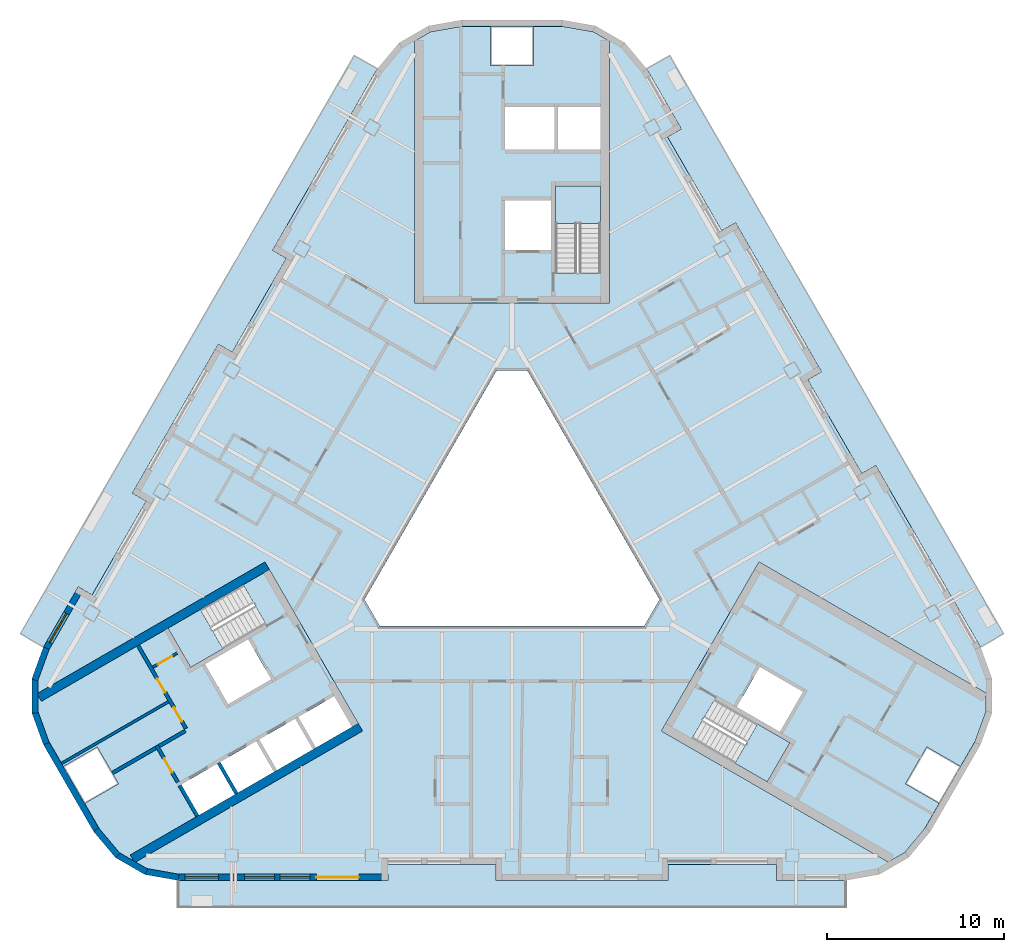
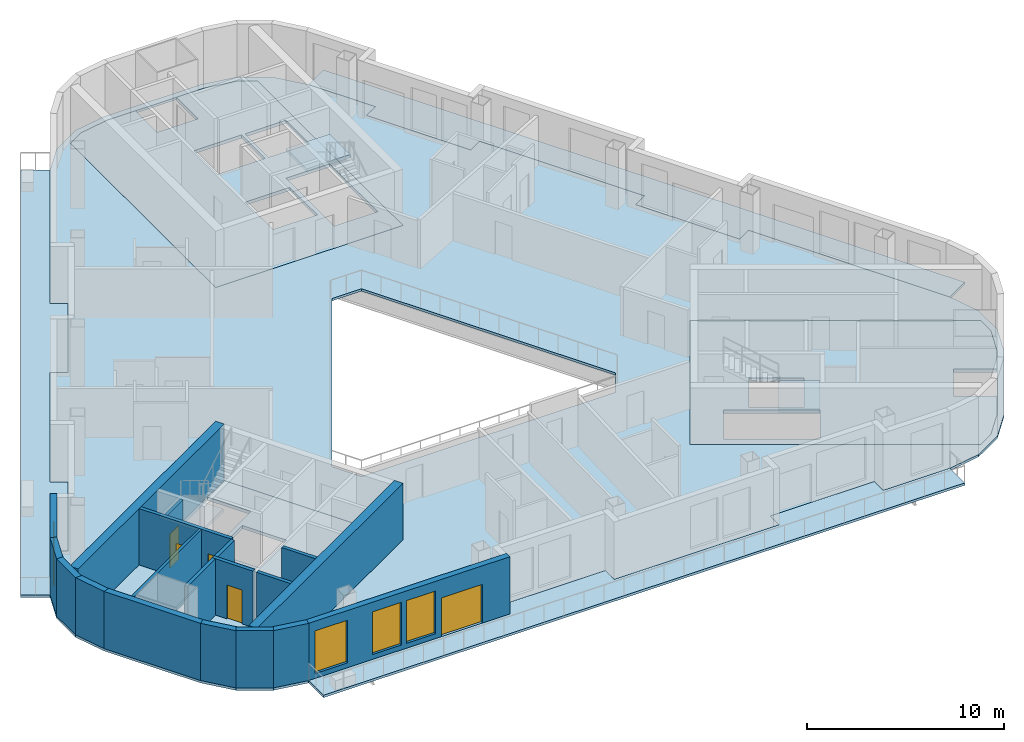
# One storey, part 2 of 14: 19 walls, 10 slabs, 5 doors, 4 windows, 9 openings, 3 elements without a shape of their own.
"""IFC4 building model written with IfcOpenShell, lengths in metres."""

import ifcopenshell
import ifcopenshell.guid

model = None  # the IFC model being written
_history = None  # IfcOwnerHistory: only IFC2X3 demands one
_inside = {}  # id of a spatial element -> (the spatial element, [elements in it])
_under = {}  # id of a project, library or spatial element -> (it, [spatial elements below it])
_declared = {}  # id of a project -> (the project, [libraries it declares])
_typed = {}  # id of a type object -> (the type object, [elements of that type])
_made_of = {}  # id of a material, layer set ... -> (it, [elements and type objects made of it])


def new_model(schema):
    """Start an empty IFC model of exactly this schema.

    Asked for "IFC4X3", IfcOpenShell would pick the latest addendum, in which some entities
    have other attributes; the version numbers below select the first issue.
    IFC2X3 requires an IfcOwnerHistory on every rooted entity: one is made here for all.
    """
    global model, _history
    if schema == "IFC4X3":
        model = ifcopenshell.file(schema_version=(4, 3, 0, 0))
    else:
        model = ifcopenshell.file(schema=schema)
    _inside.clear()
    _under.clear()
    _declared.clear()
    _typed.clear()
    _made_of.clear()
    _history = None
    if model.schema == "IFC2X3":
        org = make("IfcOrganization", Name="unknown")
        user = make(
            "IfcPersonAndOrganization",
            ThePerson=make("IfcPerson", FamilyName="unknown"),
            TheOrganization=org,
        )
        app = make(
            "IfcApplication",
            ApplicationDeveloper=org,
            Version="unknown",
            ApplicationFullName="unknown",
            ApplicationIdentifier="unknown",
        )
        _history = make(
            "IfcOwnerHistory",
            OwningUser=user,
            OwningApplication=app,
            ChangeAction="ADDED",
            CreationDate=0,
        )
    return model


def make(cls, **values):
    """One entity of the class cls with the attributes given. An attribute that is None is left unset."""
    return model.create_entity(
        cls, **{name: value for name, value in values.items() if value is not None}
    )


def rooted(cls, **values):
    """An entity with a GlobalId (a new one), such as an element, a storey or a relation."""
    return make(cls, GlobalId=ifcopenshell.guid.new(), OwnerHistory=_history, **values)


def si_unit(unit_type, name, prefix=None):
    """IfcSIUnit, for example si_unit("LENGTHUNIT", "METRE", prefix="MILLI")."""
    return make("IfcSIUnit", UnitType=unit_type, Prefix=prefix, Name=name)


def assignment(units):
    """IfcUnitAssignment: the units of a project."""
    return None if units is None else make("IfcUnitAssignment", Units=units)


def point(xyz):
    """IfcCartesianPoint."""
    return None if xyz is None else make("IfcCartesianPoint", Coordinates=xyz)


def direction(xyz):
    """IfcDirection."""
    return None if xyz is None else make("IfcDirection", DirectionRatios=xyz)


def frame(location, z_axis=None, x_axis=None):
    """IfcAxis2Placement3D, a coordinate frame: its origin and axes. An axis left out is left unset."""
    return make(
        "IfcAxis2Placement3D",
        Location=point(location),
        Axis=direction(z_axis),
        RefDirection=direction(x_axis),
    )


def frame_2d(location, x_axis=None):
    """IfcAxis2Placement2D, a coordinate frame in the plane: its origin and x axis."""
    return make(
        "IfcAxis2Placement2D", Location=point(location), RefDirection=direction(x_axis)
    )


def origin():
    """The frame at (0, 0, 0) with its axes left unset."""
    return frame((0.0, 0.0, 0.0))


def place(relative_to, where):
    """IfcLocalPlacement: puts the frame where relative to a parent placement (None: the world)."""
    return make(
        "IfcLocalPlacement", PlacementRelTo=relative_to, RelativePlacement=where
    )


def context(
    kind, dimensions, precision=None, world=None, true_north=None, identifier=None
):
    """IfcGeometricRepresentationContext, for example the 3D "Model" context."""
    return make(
        "IfcGeometricRepresentationContext",
        ContextIdentifier=identifier,
        ContextType=kind,
        CoordinateSpaceDimension=dimensions,
        Precision=precision,
        WorldCoordinateSystem=world,
        TrueNorth=true_north,
    )


def subcontext(parent, identifier, kind, view, scale=None):
    """IfcGeometricRepresentationSubContext, for example "Body" below "Model"."""
    return make(
        "IfcGeometricRepresentationSubContext",
        ContextIdentifier=identifier,
        ContextType=kind,
        ParentContext=parent,
        TargetScale=scale,
        TargetView=view,
    )


def project(units=None, contexts=None):
    """IfcProject with its units and contexts."""
    return rooted(
        "IfcProject",
        Name="project",
        RepresentationContexts=contexts,
        UnitsInContext=assignment(units),
    )


def spatial(cls, under=None, at=None, **own):
    """A site, building, storey or space (cls), placed at a placement, below another one or the project."""
    s = rooted(cls, ObjectPlacement=at, **own)
    if under is not None:
        _under.setdefault(under.id(), (under, []))[1].append(s)
    return s


def polyline(points):
    """IfcPolyline through the points."""
    return make("IfcPolyline", Points=[point(p) for p in points])


def profile(cls, at=None, kind="AREA", **sizes):
    """A parametric profile (cls). Its sizes go by their IFC names, for example OverallWidth=200.0."""
    return make(cls, ProfileType=kind, Position=at, **sizes)


def rectangle(**sizes):
    """IfcRectangleProfileDef."""
    return profile("IfcRectangleProfileDef", **sizes)


def outline(outer, holes=None, kind="AREA"):
    """IfcArbitraryClosedProfileDef: a profile drawn as a closed curve; with holes, ...WithVoids."""
    if holes is None:
        return make("IfcArbitraryClosedProfileDef", ProfileType=kind, OuterCurve=outer)
    return make(
        "IfcArbitraryProfileDefWithVoids",
        ProfileType=kind,
        OuterCurve=outer,
        InnerCurves=holes,
    )


def extrude(swept, where, along, depth):
    """IfcExtrudedAreaSolid: the profile swept, set in the frame where, extruded along a direction by depth."""
    return make(
        "IfcExtrudedAreaSolid",
        SweptArea=swept,
        Position=where,
        ExtrudedDirection=direction(along),
        Depth=depth,
    )


def shape(context_of_items, identifier, shape_type, items):
    """IfcShapeRepresentation: the items that make up one representation, for example the "Body"."""
    return make(
        "IfcShapeRepresentation",
        ContextOfItems=context_of_items,
        RepresentationIdentifier=identifier,
        RepresentationType=shape_type,
        Items=items,
    )


def material(Name=None, Category=None):
    """IfcMaterial."""
    return make("IfcMaterial", Name=Name, Category=Category)


def layer(
    of_material, thickness, ventilated=None, Name=None, Category=None, Priority=None
):
    """IfcMaterialLayer: one layer of a wall or slab, of a material (None: an air gap)."""
    return make(
        "IfcMaterialLayer",
        Material=of_material,
        LayerThickness=thickness,
        IsVentilated=ventilated,
        Name=Name,
        Category=Category,
        Priority=Priority,
    )


def layer_set(layers, Name=None):
    """IfcMaterialLayerSet."""
    return make("IfcMaterialLayerSet", MaterialLayers=layers, LayerSetName=Name)


def made_of(thing, what):
    """Note that an element or type object is made of a material, layer set ...; save() writes the relation."""
    if what is not None:
        _made_of.setdefault(what.id(), (what, []))[1].append(thing)
    return thing


def type_object(cls, material=None, **own):
    """A type object (cls), such as IfcWallType, which elements share."""
    return made_of(rooted(cls, **own), material)


def element(
    cls,
    number,
    at=None,
    inside=None,
    cuts=None,
    type_object=None,
    material=None,
    context=None,
    identifier="Body",
    shape_type=None,
    held_by="IfcProductDefinitionShape",
    body=None,
    shapes=None,
    **own,
):
    """One element of the class cls, such as IfcWall. Its Tag is "e" and its number.

    at: its placement. inside: the storey or other place that contains it. cuts: it is an
    opening in that element (IfcRelVoidsElement). A single representation is given by context,
    identifier, shape_type and body (its items); several are given by shapes. held_by: the class
    of the entity that holds the representations. save() writes the other relations.
    """
    e = rooted(cls, Tag="e%d" % number, ObjectPlacement=at, **own)
    if body is not None:
        shapes = [shape(context, identifier, shape_type, body)]
    if shapes is not None:
        e.Representation = make(held_by, Representations=shapes)
    if inside is not None:
        _inside.setdefault(inside.id(), (inside, []))[1].append(e)
    if cuts is not None:
        rooted(
            "IfcRelVoidsElement", RelatingBuildingElement=cuts, RelatedOpeningElement=e
        )
    if type_object is not None:
        _typed.setdefault(type_object.id(), (type_object, []))[1].append(e)
    return made_of(e, material)


def fill(opening, filler):
    """IfcRelFillsElement: the door or window that sits in an opening."""
    return rooted(
        "IfcRelFillsElement",
        RelatingOpeningElement=opening,
        RelatedBuildingElement=filler,
    )


def aggregate(whole, parts):
    """IfcRelAggregates: a whole, such as a stair, and the parts it consists of."""
    return rooted("IfcRelAggregates", RelatingObject=whole, RelatedObjects=parts)


def save(model, path):
    """Write the relations noted so far, then the file.

    IfcRelAggregates (storeys below a building ...), IfcRelContainedInSpatialStructure (elements
    in a storey), IfcRelDefinesByType, IfcRelAssociatesMaterial and IfcRelDeclares: one each for
    every whole, place, type object, material and project.
    """
    for whole, parts in _under.values():
        aggregate(whole, parts)
    for where, things in _inside.values():
        rooted(
            "IfcRelContainedInSpatialStructure",
            RelatedElements=things,
            RelatingStructure=where,
        )
    for kind, things in _typed.values():
        rooted("IfcRelDefinesByType", RelatedObjects=things, RelatingType=kind)
    for what, things in _made_of.values():
        rooted("IfcRelAssociatesMaterial", RelatedObjects=things, RelatingMaterial=what)
    for by, libraries in _declared.values():
        rooted("IfcRelDeclares", RelatingContext=by, RelatedDefinitions=libraries)
    model.write(path)


model = new_model("IFC4")

# Units and contexts
model_context = context("Model", 3, precision=1e-05, world=origin(), true_north=direction((0.0, 1.0)))
body_context = subcontext(model_context, "Body", "Model", "MODEL_VIEW")
ifc_project = project(units=[si_unit("LENGTHUNIT", "METRE"), si_unit("AREAUNIT", "SQUARE_METRE"), si_unit("VOLUMEUNIT", "CUBIC_METRE"), si_unit("PLANEANGLEUNIT", "RADIAN"), si_unit("MASSUNIT", "GRAM", prefix="KILO")], contexts=[model_context])

# Site, building, storey
site_placement = place(None, origin())
site = spatial("IfcSite", under=ifc_project, at=site_placement, CompositionType="ELEMENT")
building_placement = place(site_placement, origin())
building = spatial("IfcBuilding", under=site, at=building_placement, Name="Apuvela Tower Hotel", CompositionType="ELEMENT")
storey_placement = place(building_placement, frame((0.0, 0.0, 209.5)))
storey = spatial("IfcBuildingStorey", under=building, at=storey_placement, Name="L51", CompositionType="ELEMENT", Elevation=209.5)

# Slabs
ifc_material_1 = material(Name="Concrete C50/60", Category="concrete")
ifc_layer_1 = layer(ifc_material_1, 0.199951171875)
ifc_layer_set_1 = layer_set([ifc_layer_1], Name="COR-FLOOR-200")
slab_type_1 = type_object("IfcSlabType", Name="COR-FLOOR-200", PredefinedType="FLOOR", material=ifc_layer_set_1)
slab_1_placement = place(storey_placement, frame((0.0, 0.0, -0.199951171875)))
element("IfcSlab", 1, at=slab_1_placement, inside=storey, type_object=slab_type_1, Name="Core floor N", PredefinedType="FLOOR", context=body_context, shape_type="SweptSolid", body=[
    extrude(outline(polyline([(5.5, 27.668212890625), (4.588623046875, 28.1943359375), (2.85498046875, 28.5), (1.199951171875, 28.5), (1.199951171875, 26.300048828125), (-1.199951171875, 26.300048828125), (-1.199951171875, 28.5), (-2.85498046875, 28.5), (-4.588623046875, 28.1943359375), (-5.5, 27.668212890625), (-5.5, 12.89990234375), (5.5, 12.89990234375), (5.5, 27.668212890625)]), holes=[polyline([(5.0, 14.60595703125), (2.449951171875, 14.60595703125), (2.449951171875, 19.5), (5.0, 19.5), (5.0, 14.60595703125)]), polyline([(2.199951171875, 15.89990234375), (-0.39990234375, 15.89990234375), (-0.39990234375, 18.699951171875), (2.199951171875, 18.699951171875), (2.199951171875, 15.89990234375)]), polyline([(5.0, 21.550048828125), (2.60009765625, 21.550048828125), (2.60009765625, 23.949951171875), (5.0, 23.949951171875), (5.0, 21.550048828125)]), polyline([(2.39990234375, 21.550048828125), (-0.39990234375, 21.550048828125), (-0.39990234375, 23.949951171875), (2.39990234375, 23.949951171875), (2.39990234375, 21.550048828125)])]), origin(), (0.0, 0.0, 1.0), 0.199951171875),
])
slab_2_placement = place(storey_placement, frame((0.0, 0.0, -0.199951171875)))
element("IfcSlab", 2, at=slab_2_placement, inside=storey, type_object=slab_type_1, Name="Core floor SW", PredefinedType="FLOOR", context=body_context, shape_type="SweptSolid", body=[
    extrude(outline(polyline([(-26.711181640625, -9.07080078125), (-26.711181640625, -10.123291015625), (-26.109375, -11.77734375), (-25.28173828125, -13.210693359375), (-23.37646484375, -12.11083984375), (-22.176513671875, -14.189208984375), (-24.081787109375, -15.289306640625), (-23.254150390625, -16.72265625), (-22.122802734375, -18.071044921875), (-21.211181640625, -18.59716796875), (-8.421630859375, -11.213134765625), (-13.921630859375, -1.68701171875), (-26.711181640625, -9.07080078125)]), holes=[polyline([(-10.01806640625, -9.248046875), (-9.01806640625, -10.97998046875), (-11.044677734375, -12.150146484375), (-12.044677734375, -10.418212890625), (-10.01806640625, -9.248046875)]), polyline([(-14.244384765625, -11.68798828125), (-12.2177734375, -10.51806640625), (-11.2177734375, -12.25), (-13.244384765625, -13.420166015625), (-14.244384765625, -11.68798828125)]), polyline([(-19.387451171875, -5.419921875), (-15.149169921875, -2.972900390625), (-13.874267578125, -5.18115234375), (-18.112548828125, -7.628173828125), (-19.387451171875, -5.419921875)]), polyline([(-14.869873046875, -6.044677734375), (-13.56982421875, -8.29638671875), (-15.99462890625, -9.6962890625), (-17.294677734375, -7.444580078125), (-14.869873046875, -6.044677734375)]), polyline([(-16.444091796875, -12.9580078125), (-14.41748046875, -11.7880859375), (-13.41748046875, -13.52001953125), (-15.444091796875, -14.690185546875), (-16.444091796875, -12.9580078125)]), polyline([(-18.643798828125, -14.22802734375), (-16.6171875, -13.05810546875), (-15.6171875, -14.7900390625), (-17.643798828125, -15.960205078125), (-18.643798828125, -14.22802734375)])]), origin(), (0.0, 0.0, 1.0), 0.199951171875),
])
slab_3_placement = place(storey_placement, frame((0.0, 0.0, -0.199951171875)))
element("IfcSlab", 3, at=slab_3_placement, inside=storey, type_object=slab_type_1, Name="Core floor SE", PredefinedType="FLOOR", context=body_context, shape_type="SweptSolid", body=[
    extrude(outline(polyline([(21.211181640625, -18.59716796875), (22.122802734375, -18.071044921875), (23.254150390625, -16.72265625), (24.081787109375, -15.289306640625), (22.176513671875, -14.189208984375), (23.37646484375, -12.11083984375), (25.28173828125, -13.210693359375), (26.109375, -11.77734375), (26.711181640625, -10.123291015625), (26.711181640625, -9.07080078125), (13.921630859375, -1.68701171875), (8.421630859375, -11.213134765625), (21.211181640625, -18.59716796875)]), holes=[polyline([(11.42431640625, -9.4248046875), (15.66259765625, -11.871826171875), (14.387451171875, -14.080078125), (10.149169921875, -11.633056640625), (11.42431640625, -9.4248046875)]), polyline([(13.9697265625, -7.603515625), (16.394775390625, -9.003662109375), (15.0947265625, -11.25537109375), (12.669921875, -9.855224609375), (13.9697265625, -7.603515625)])]), origin(), (0.0, 0.0, 1.0), 0.199951171875),
])

# Stair, slab
stair_type = type_object("IfcStairType", Name="COR-STAIR-22R", PredefinedType="HALF_TURN_STAIR", material=ifc_material_1)
stair_1_placement = place(storey_placement, origin())
stair_1 = element("IfcStair", 4, at=stair_1_placement, inside=storey, type_object=stair_type, Name="L51 Exit stair ST1", PredefinedType="HALF_TURN_STAIR")
ifc_layer_2 = layer(ifc_material_1, 0.199951171875)
ifc_layer_set_2 = layer_set([ifc_layer_2], Name="COR-LANDING-200")
slab_type_2 = type_object("IfcSlabType", Name="COR-LANDING-200", PredefinedType="LANDING", material=ifc_layer_set_2)
slab_4_placement = place(storey_placement, frame((0.0, 0.0, 1.64990234375)))
slab_4 = element("IfcSlab", 5, at=slab_4_placement, type_object=slab_type_2, Name="ST1 landing 1", PredefinedType="LANDING", context=body_context, shape_type="SweptSolid", body=[
    extrude(outline(polyline([(5.0, 17.39404296875), (5.0, 19.5), (2.449951171875, 19.5), (2.449951171875, 17.39404296875), (5.0, 17.39404296875)])), origin(), (0.0, 0.0, 1.0), 0.2001953125),
])
aggregate(stair_1, [slab_4])

stair_2_placement = place(storey_placement, origin())
stair_2 = element("IfcStair", 6, at=stair_2_placement, inside=storey, type_object=stair_type, Name="L51 Exit stair ST2", PredefinedType="HALF_TURN_STAIR")
slab_5_placement = place(storey_placement, frame((0.0, 0.0, 1.64990234375)))
slab_5 = element("IfcSlab", 7, at=slab_5_placement, type_object=slab_type_2, Name="ST2 landing 1", PredefinedType="LANDING", context=body_context, shape_type="SweptSolid", body=[
    extrude(outline(polyline([(-17.563720703125, -4.366943359375), (-19.387451171875, -5.419921875), (-18.112548828125, -7.628173828125), (-16.28857421875, -6.5751953125), (-17.563720703125, -4.366943359375)])), origin(), (0.0, 0.0, 1.0), 0.2001953125),
])
aggregate(stair_2, [slab_5])

stair_3_placement = place(storey_placement, origin())
stair_3 = element("IfcStair", 8, at=stair_3_placement, inside=storey, type_object=stair_type, Name="L51 Exit stair ST3", PredefinedType="HALF_TURN_STAIR")
slab_6_placement = place(storey_placement, frame((0.0, 0.0, 1.64990234375)))
slab_6 = element("IfcSlab", 9, at=slab_6_placement, type_object=slab_type_2, Name="ST3 landing 1", PredefinedType="LANDING", context=body_context, shape_type="SweptSolid", body=[
    extrude(outline(polyline([(12.563720703125, -13.027099609375), (14.387451171875, -14.080078125), (15.66259765625, -11.871826171875), (13.838623046875, -10.81884765625), (12.563720703125, -13.027099609375)])), origin(), (0.0, 0.0, 1.0), 0.2001953125),
])
aggregate(stair_3, [slab_6])

# Slabs
ifc_material_2 = material(Name="Concrete C40/50, fair-faced", Category="concrete")
ifc_layer_3 = layer(ifc_material_2, 0.14990234375)
ifc_layer_set_3 = layer_set([ifc_layer_3], Name="ENV-BALCONY-150")
slab_type_3 = type_object("IfcSlabType", Name="ENV-BALCONY-150", PredefinedType="FLOOR", material=ifc_layer_set_3)
slab_7_placement = place(storey_placement, frame((0.0, 0.0, -0.14990234375)))
element("IfcSlab", 10, at=slab_7_placement, inside=storey, type_object=slab_type_3, Name="Balcony slab S L51", PredefinedType="FLOOR", context=body_context, shape_type="SweptSolid", body=[
    extrude(outline(polyline([(18.82080078125, -21.135009765625), (-18.82080078125, -21.135009765625), (-18.82080078125, -19.625), (-7.0048828125, -19.625), (-7.0048828125, -18.72509765625), (-0.89501953125, -18.72509765625), (-0.89501953125, -19.625), (8.794921875, -19.625), (8.794921875, -18.72509765625), (14.905029296875, -18.72509765625), (14.905029296875, -19.625), (18.82080078125, -19.625), (18.82080078125, -21.135009765625)])), origin(), (0.0, 0.0, 1.0), 0.14990234375),
])
slab_8_placement = place(storey_placement, frame((0.0, 0.0, -0.14990234375)))
element("IfcSlab", 11, at=slab_8_placement, inside=storey, type_object=slab_type_3, Name="Balcony slab NE L51", PredefinedType="FLOOR", context=body_context, shape_type="SweptSolid", body=[
    extrude(outline(polyline([(17.443359375, 9.037353515625), (12.598388671875, 17.42919921875), (11.81884765625, 16.979248046875), (8.763916015625, 22.2705078125), (9.543212890625, 22.720703125), (7.585205078125, 26.11181640625), (8.89306640625, 26.86669921875), (27.7138671875, -5.731689453125), (26.40625, -6.48681640625), (20.498291015625, 3.74609375), (19.71875, 3.2958984375), (16.663818359375, 8.58740234375), (17.443359375, 9.037353515625)])), origin(), (0.0, 0.0, 1.0), 0.14990234375),
])
slab_9_placement = place(storey_placement, frame((0.0, 0.0, -0.14990234375)))
element("IfcSlab", 12, at=slab_9_placement, inside=storey, type_object=slab_type_3, Name="Balcony slab NW L51", PredefinedType="FLOOR", context=body_context, shape_type="SweptSolid", body=[
    extrude(outline(polyline([(-27.7138671875, -5.731689453125), (-8.89306640625, 26.86669921875), (-7.585205078125, 26.11181640625), (-13.4931640625, 15.87890625), (-12.7138671875, 15.428955078125), (-15.768798828125, 10.1376953125), (-16.548095703125, 10.587646484375), (-21.393310546875, 2.19580078125), (-20.61376953125, 1.745849609375), (-23.668701171875, -3.545654296875), (-24.4482421875, -3.095703125), (-26.40625, -6.48681640625), (-27.7138671875, -5.731689453125)])), origin(), (0.0, 0.0, 1.0), 0.14990234375),
])
ifc_material_3 = material(Name="Concrete C35/45", Category="concrete")
ifc_layer_4 = layer(ifc_material_3, 0.14990234375)
ifc_layer_set_4 = layer_set([ifc_layer_4], Name="STR-SLAB 150 floor Concrete C35/45")
slab_type_4 = type_object("IfcSlabType", Name="STR-SLAB 150 floor Concrete C35/45", PredefinedType="FLOOR", material=ifc_layer_set_4)
slab_10_placement = place(storey_placement, frame((0.0, 0.0, -0.14990234375)))
element("IfcSlab", 13, at=slab_10_placement, inside=storey, type_object=slab_type_4, Name="Floor slab S4 L51", PredefinedType="FLOOR", context=body_context, shape_type="SweptSolid", body=[
    extrude(outline(polyline([(-6.3642578125, 27.5732421875), (-4.710205078125, 28.5283203125), (-2.8291015625, 28.860107421875), (2.8291015625, 28.860107421875), (4.710205078125, 28.5283203125), (6.3642578125, 27.5732421875), (7.59228515625, 26.110107421875), (9.550048828125, 22.71875), (8.770751953125, 22.268798828125), (11.82080078125, 16.986083984375), (12.60009765625, 17.43603515625), (17.4501953125, 9.035400390625), (16.670654296875, 8.58544921875), (19.720703125, 3.302734375), (20.5, 3.752685546875), (26.407958984375, -6.47998046875), (27.061279296875, -8.27490234375), (27.061279296875, -10.18505859375), (26.407958984375, -11.97998046875), (23.5791015625, -16.8798828125), (22.351318359375, -18.34326171875), (20.697021484375, -19.29833984375), (18.81591796875, -19.6298828125), (14.89990234375, -19.6298828125), (14.89990234375, -18.72998046875), (8.800048828125, -18.72998046875), (8.800048828125, -19.6298828125), (-0.89990234375, -19.6298828125), (-0.89990234375, -18.72998046875), (-7.0, -18.72998046875), (-7.0, -19.6298828125), (-18.81591796875, -19.6298828125), (-20.697021484375, -19.29833984375), (-22.351318359375, -18.34326171875), (-23.5791015625, -16.8798828125), (-26.407958984375, -11.97998046875), (-27.061279296875, -10.18505859375), (-27.061279296875, -8.27490234375), (-26.407958984375, -6.47998046875), (-24.4501953125, -3.088623046875), (-23.670654296875, -3.538818359375), (-20.62060546875, 1.743896484375), (-21.400146484375, 2.194091796875), (-16.550048828125, 10.594482421875), (-15.7705078125, 10.14453125), (-12.720703125, 15.42724609375), (-13.5, 15.877197265625), (-7.59228515625, 26.110107421875), (-6.3642578125, 27.5732421875)]), holes=[polyline([(0.865966796875, 9.10009765625), (-0.865966796875, 9.10009765625), (-8.313720703125, -3.800048828125), (-7.44775390625, -5.300048828125), (7.44775390625, -5.300048828125), (8.313720703125, -3.800048828125), (0.865966796875, 9.10009765625)]), polyline([(-5.5, 12.89990234375), (-5.5, 27.668212890625), (-4.588623046875, 28.1943359375), (-2.85498046875, 28.5), (2.85498046875, 28.5), (4.588623046875, 28.1943359375), (5.5, 27.668212890625), (5.5, 12.89990234375), (-5.5, 12.89990234375)]), polyline([(-8.421630859375, -11.213134765625), (-21.211181640625, -18.59716796875), (-22.122802734375, -18.071044921875), (-23.254150390625, -16.72265625), (-26.109375, -11.77734375), (-26.711181640625, -10.123291015625), (-26.711181640625, -9.07080078125), (-13.921630859375, -1.68701171875), (-8.421630859375, -11.213134765625)]), polyline([(13.921630859375, -1.68701171875), (26.711181640625, -9.07080078125), (26.711181640625, -10.123291015625), (26.109375, -11.77734375), (23.254150390625, -16.72265625), (22.122802734375, -18.071044921875), (21.211181640625, -18.59716796875), (8.421630859375, -11.213134765625), (13.921630859375, -1.68701171875)])]), origin(), (0.0, 0.0, 1.0), 0.14990234375),
])

# Walls
ifc_layer_5 = layer(ifc_material_1, 0.5)
ifc_layer_set_5 = layer_set([ifc_layer_5], Name="COR-WALL-CORE-500")
wall_type_1 = type_object("IfcWallType", Name="COR-WALL-CORE-500", PredefinedType="SHEAR", material=ifc_layer_set_5)
for number, where, z_axis, x_axis, name in (
    (14, (-13.796630859375, -1.9033203125, 0.0), (0.0, 0.0, 1.0), (-0.866025009528, -0.500000682871, 0.0), "Core wall SW"),
    (15, (-8.546630859375, -10.99658203125, 0.0), (0.0, 0.0, 1.0), (-0.866025009528, -0.500000682871, 0.0), "Core wall SW"),
):
    element("IfcWall", number, at=place(storey_placement, frame(where, z_axis=z_axis, x_axis=x_axis)), inside=storey, type_object=wall_type_1, Name=name, PredefinedType="SHEAR", context=body_context, shape_type="SweptSolid", body=[
        extrude(rectangle(XDim=14.8369140625, YDim=0.5, at=frame_2d((7.41845703125, 0.0))), origin(), (0.0, 0.0, 1.0), 3.5),
    ])

# Wall, opening, door
ifc_material_4 = material(Name="Blockwork 150 mm plastered", Category="masonry")
ifc_layer_6 = layer(ifc_material_4, 0.14990234375)
ifc_layer_set_6 = layer_set([ifc_layer_6], Name="COR-WALL-PART-150")
wall_type_2 = type_object("IfcWallType", Name="COR-WALL-PART-150", PredefinedType="PARTITIONING", material=ifc_layer_set_6)
wall_1_placement = place(storey_placement, frame((-18.866455078125, -6.822265625, 0.0), z_axis=(0.0, 0.0, 1.0), x_axis=(-0.866028054938, -0.499995408039, 0.0)))
wall_1 = element("IfcWall", 16, at=wall_1_placement, inside=storey, type_object=wall_type_2, Name="Partition SW", PredefinedType="PARTITIONING", context=body_context, shape_type="SweptSolid", body=[
    extrude(rectangle(XDim=1.60009765625, YDim=0.14990234375, at=frame_2d((0.800048828125, 0.0))), origin(), (0.0, 0.0, 1.0), 3.5),
])
opening_1_placement = place(wall_1_placement, frame((0.35009765625, 0.0, 0.0)))
opening_1 = element("IfcOpeningElement", 17, at=opening_1_placement, cuts=wall_1, Name="Opening W-RD", PredefinedType="OPENING", context=body_context, shape_type="SweptSolid", body=[
    extrude(rectangle(XDim=0.89990234375, YDim=2.10009765625, at=frame_2d((0.449951171875, 1.050048828125))), frame((0.0, 0.0849609375, 0.0), z_axis=(0.0, -1.0, 0.0), x_axis=(1.0, 0.0, 0.0)), (0.0, 0.0, 1.0), 0.169921875),
])
ifc_material_5 = material(Name="Steel access door, powder coated", Category="steel")
door_type_1 = type_object("IfcDoorType", Name="COR-RD-900", OperationType="NOTDEFINED", PredefinedType="DOOR", material=ifc_material_5)
door_1_placement = place(opening_1_placement, frame((0.89990234375, 0.0, 0.0), z_axis=(0.0, 0.0, 1.0), x_axis=(-1.0, 0.0, 0.0)))
door_1 = element("IfcDoor", 18, at=door_1_placement, inside=storey, type_object=door_type_1, Name="Riser door W-RD", OperationType="SINGLE_SWING_RIGHT", OverallHeight=2.10009765625, OverallWidth=0.89990234375, PredefinedType="DOOR", context=body_context, shape_type="SweptSolid", body=[
    extrude(rectangle(XDim=0.89990234375, YDim=2.10009765625, at=frame_2d((0.449951171875, 1.050048828125))), frame((0.0, 0.02490234375, 0.0), z_axis=(0.0, -1.0, 0.0), x_axis=(1.0, 0.0, 0.0)), (0.0, 0.0, 1.0), 0.050048828125),
])
fill(opening_1, door_1)

# Wall
wall_2_placement = place(storey_placement, frame((-19.36279296875, -9.5625, 0.0), z_axis=(0.0, 0.0, 1.0), x_axis=(-0.866016523273, -0.500015381182, 0.0)))
element("IfcWall", 19, at=wall_2_placement, inside=storey, type_object=wall_type_2, Name="Partition SW", PredefinedType="PARTITIONING", context=body_context, shape_type="SweptSolid", body=[
    extrude(rectangle(XDim=6.949951171875, YDim=0.14990234375, at=frame_2d((3.47509765625, 0.0))), origin(), (0.0, 0.0, 1.0), 3.5),
])

# Wall, openings, doors
ifc_material_6 = material(Name="Blockwork 200 mm plastered", Category="masonry")
ifc_layer_7 = layer(ifc_material_6, 0.199951171875)
ifc_layer_set_7 = layer_set([ifc_layer_7], Name="COR-WALL-PART-200")
wall_type_3 = type_object("IfcWallType", Name="COR-WALL-PART-200", PredefinedType="PARTITIONING", material=ifc_layer_set_7)
wall_3_placement = place(storey_placement, frame((-21.076171875, -6.39501953125, 0.0), z_axis=(0.0, 0.0, 1.0), x_axis=(0.50001468107, -0.866016927499, 0.0)))
wall_3 = element("IfcWall", 20, at=wall_3_placement, inside=storey, type_object=wall_type_3, Name="Partition SW", PredefinedType="PARTITIONING", context=body_context, shape_type="SweptSolid", body=[
    extrude(rectangle(XDim=5.399658203125, YDim=0.199951171875, at=frame_2d((2.69970703125, 0.0))), origin(), (0.0, 0.0, 1.0), 3.5),
])
opening_2_placement = place(wall_3_placement, frame((2.16259765625, 0.0, 0.0)))
opening_2 = element("IfcOpeningElement", 21, at=opening_2_placement, cuts=wall_3, Name="Opening W-RS1", PredefinedType="OPENING", context=body_context, shape_type="SweptSolid", body=[
    extrude(rectangle(XDim=0.89990234375, YDim=2.10009765625, at=frame_2d((0.449951171875, 1.050048828125))), frame((0.0, 0.10986328125, 0.0), z_axis=(0.0, -1.0, 0.0), x_axis=(1.0, 0.0, 0.0)), (0.0, 0.0, 1.0), 0.219970703125),
])
opening_3_placement = place(wall_3_placement, frame((4.03759765625, 0.0, 0.0)))
opening_3 = element("IfcOpeningElement", 22, at=opening_3_placement, cuts=wall_3, Name="Opening W-RS2", PredefinedType="OPENING", context=body_context, shape_type="SweptSolid", body=[
    extrude(rectangle(XDim=0.89990234375, YDim=2.10009765625, at=frame_2d((0.449951171875, 1.050048828125))), frame((0.0, 0.10986328125, 0.0), z_axis=(0.0, -1.0, 0.0), x_axis=(1.0, 0.0, 0.0)), (0.0, 0.0, 1.0), 0.219970703125),
])
ifc_material_7 = material(Name="Steel fire door, powder coated", Category="steel")
door_type_2 = type_object("IfcDoorType", Name="COR-DR-900", OperationType="NOTDEFINED", PredefinedType="DOOR", material=ifc_material_7)
door_2_placement = place(opening_2_placement, frame((0.89990234375, 0.0, 0.0), z_axis=(0.0, 0.0, 1.0), x_axis=(-1.0, 0.0, 0.0)))
door_2 = element("IfcDoor", 23, at=door_2_placement, inside=storey, type_object=door_type_2, Name="Store door W-RS1", OperationType="SINGLE_SWING_LEFT", OverallHeight=2.10009765625, OverallWidth=0.89990234375, PredefinedType="DOOR", context=body_context, shape_type="SweptSolid", body=[
    extrude(rectangle(XDim=0.89990234375, YDim=2.10009765625, at=frame_2d((0.449951171875, 1.050048828125))), frame((0.0, 0.02490234375, 0.0), z_axis=(0.0, -1.0, 0.0), x_axis=(1.0, 0.0, 0.0)), (0.0, 0.0, 1.0), 0.050048828125),
])
fill(opening_2, door_2)
door_3_placement = place(opening_3_placement, frame((0.89990234375, 0.0, 0.0), z_axis=(0.0, 0.0, 1.0), x_axis=(-1.0, 0.0, 0.0)))
door_3 = element("IfcDoor", 24, at=door_3_placement, inside=storey, type_object=door_type_2, Name="Store door W-RS2", OperationType="SINGLE_SWING_LEFT", OverallHeight=2.10009765625, OverallWidth=0.89990234375, PredefinedType="DOOR", context=body_context, shape_type="SweptSolid", body=[
    extrude(rectangle(XDim=0.89990234375, YDim=2.10009765625, at=frame_2d((0.449951171875, 1.050048828125))), frame((0.0, 0.02490234375, 0.0), z_axis=(0.0, -1.0, 0.0), x_axis=(1.0, 0.0, 0.0)), (0.0, 0.0, 1.0), 0.050048828125),
])
fill(opening_3, door_3)

# Wall, opening, door
ifc_layer_8 = layer(ifc_material_1, 0.199951171875)
ifc_layer_set_8 = layer_set([ifc_layer_8], Name="COR-WALL-SHAFT-200")
wall_type_4 = type_object("IfcWallType", Name="COR-WALL-SHAFT-200", PredefinedType="SHEAR", material=ifc_layer_set_8)
wall_4_placement = place(storey_placement, frame((-20.030517578125, -12.0263671875, 0.0), z_axis=(0.0, 0.0, 1.0), x_axis=(0.500033551112, -0.866006032174, 0.0)))
wall_4 = element("IfcWall", 25, at=wall_4_placement, inside=storey, type_object=wall_type_4, Name="Shaft wall SW", PredefinedType="SHEAR", context=body_context, shape_type="SweptSolid", body=[
    extrude(rectangle(XDim=2.400146484375, YDim=0.199951171875, at=frame_2d((1.2001953125, 0.0))), origin(), (0.0, 0.0, 1.0), 3.5),
])
opening_4_placement = place(wall_4_placement, frame((0.85009765625, 0.0, 0.0)))
opening_4 = element("IfcOpeningElement", 26, at=opening_4_placement, cuts=wall_4, Name="Opening W-REP", PredefinedType="OPENING", context=body_context, shape_type="SweptSolid", body=[
    extrude(rectangle(XDim=0.89990234375, YDim=2.10009765625, at=frame_2d((0.449951171875, 1.050048828125))), frame((0.0, 0.10986328125, 0.0), z_axis=(0.0, -1.0, 0.0), x_axis=(1.0, 0.0, 0.0)), (0.0, 0.0, 1.0), 0.219970703125),
])
door_4_placement = place(opening_4_placement, frame((0.89990234375, 0.0, 0.0), z_axis=(0.0, 0.0, 1.0), x_axis=(-1.0, 0.0, 0.0)))
door_4 = element("IfcDoor", 27, at=door_4_placement, inside=storey, type_object=door_type_2, Name="Store door W-REP", OperationType="SINGLE_SWING_LEFT", OverallHeight=2.10009765625, OverallWidth=0.89990234375, PredefinedType="DOOR", context=body_context, shape_type="SweptSolid", body=[
    extrude(rectangle(XDim=0.89990234375, YDim=2.10009765625, at=frame_2d((0.449951171875, 1.050048828125))), frame((0.0, 0.02490234375, 0.0), z_axis=(0.0, -1.0, 0.0), x_axis=(1.0, 0.0, 0.0)), (0.0, 0.0, 1.0), 0.050048828125),
])
fill(opening_4, door_4)

# Walls
wall_5_placement = place(storey_placement, frame((-18.412841796875, -11.2080078125, 0.0), z_axis=(0.0, 0.0, 1.0), x_axis=(-0.866038183914, -0.499977863513, 0.0)))
element("IfcWall", 28, at=wall_5_placement, inside=storey, type_object=wall_type_4, Name="Shaft wall SW", PredefinedType="SHEAR", context=body_context, shape_type="SweptSolid", body=[
    extrude(rectangle(XDim=1.7099609375, YDim=0.199951171875, at=frame_2d((0.85498046875, 0.0))), origin(), (0.0, 0.0, 1.0), 3.5),
])
for number, where, z_axis, x_axis, name in (
    (29, (-16.530517578125, -13.008056640625, 0.0), (0.0, 0.0, 1.0), (0.50002537861, -0.866010750942, 0.0), "Shaft wall SW"),
    (30, (-18.73046875, -14.278076171875, 0.0), (0.0, 0.0, 1.0), (0.50002537861, -0.866010750942, 0.0), "Shaft wall SW"),
):
    element("IfcWall", number, at=place(storey_placement, frame(where, z_axis=z_axis, x_axis=x_axis)), inside=storey, type_object=wall_type_4, Name=name, PredefinedType="SHEAR", context=body_context, shape_type="SweptSolid", body=[
        extrude(rectangle(XDim=2.0, YDim=0.199951171875, at=frame_2d((1.0, 0.0))), origin(), (0.0, 0.0, 1.0), 3.5),
    ])
wall_6_placement = place(storey_placement, frame((-20.06689453125, -12.1630859375, 0.0), z_axis=(0.0, 0.0, 1.0), x_axis=(-0.866055327414, -0.49994816717, 0.0)))
element("IfcWall", 31, at=wall_6_placement, inside=storey, type_object=wall_type_4, Name="Shaft wall SW", PredefinedType="SHEAR", context=body_context, shape_type="SweptSolid", body=[
    extrude(rectangle(XDim=2.840087890625, YDim=0.199951171875, at=frame_2d((1.419921875, 0.0))), origin(), (0.0, 0.0, 1.0), 3.5),
])

# Wall, opening, window
ifc_material_8 = material(Name="Concrete C40/50, dark pigmented precast panel", Category="concrete")
ifc_layer_9 = layer(ifc_material_8, 0.35009765625)
ifc_layer_set_9 = layer_set([ifc_layer_9], Name="ENV-WALL-350")
wall_type_5 = type_object("IfcWallType", Name="ENV-WALL-350", PredefinedType="SOLIDWALL", material=ifc_layer_set_9)
wall_7_placement = place(storey_placement, frame((-24.298583984375, -3.17626953125, 0.0), z_axis=(0.0, 0.0, 1.0), x_axis=(-0.500028278809, -0.866009076391, 0.0)))
wall_7 = element("IfcWall", 32, at=wall_7_placement, inside=storey, type_object=wall_type_5, Name="External wall L51-09", PredefinedType="SOLIDWALL", context=body_context, shape_type="SweptSolid", body=[
    extrude(rectangle(XDim=3.915771484375, YDim=0.35009765625, at=frame_2d((1.9580078125, 0.0))), origin(), (0.0, 0.0, 1.0), 3.550048828125),
])
opening_5_placement = place(wall_7_placement, frame((1.625, 0.0, 0.300048828125)))
opening_5 = element("IfcOpeningElement", 33, at=opening_5_placement, cuts=wall_7, Name="Opening WN19", PredefinedType="OPENING", context=body_context, shape_type="SweptSolid", body=[
    extrude(rectangle(XDim=1.89990234375, YDim=2.64990234375, at=frame_2d((0.949951171875, 1.324951171875))), frame((0.0, 0.18505859375, 0.0), z_axis=(0.0, -1.0, 0.0), x_axis=(1.0, 0.0, 0.0)), (0.0, 0.0, 1.0), 0.3701171875),
])
ifc_material_9 = material(Name="Glass, dark tinted laminated insulated glazing unit", Category="glass")
window_type_1 = type_object("IfcWindowType", Name="ENV-WIN-1900x2650", PartitioningType="SINGLE_PANEL", PredefinedType="WINDOW", material=ifc_material_9)
window_1_placement = place(opening_5_placement, origin())
window_1 = element("IfcWindow", 34, at=window_1_placement, inside=storey, type_object=window_type_1, Name="Window WN19", OverallHeight=2.64990234375, OverallWidth=1.89990234375, PartitioningType="SINGLE_PANEL", PredefinedType="WINDOW", context=body_context, shape_type="SweptSolid", body=[
    extrude(rectangle(XDim=1.89990234375, YDim=2.64990234375, at=frame_2d((0.949951171875, 1.324951171875))), frame((0.0, 0.030029296875, 0.0), z_axis=(0.0, -1.0, 0.0), x_axis=(1.0, 0.0, 0.0)), (0.0, 0.0, 1.0), 0.06005859375),
])
fill(opening_5, window_1)

# Walls
for number, where, z_axis, x_axis, name in (
    (35, (-26.24365234375, -6.539794921875, 0.0), (0.0, 0.0, 1.0), (-0.342030395486, -0.939688889242, 0.0), "External wall L51-10"),
    (36, (-26.88623046875, -8.27490234375, 0.0), (0.0, 0.0, 1.0), (0.0, -1.0, 0.0), "External wall L51-11"),
    (37, (-26.89697265625, -10.125244140625, 0.0), (0.0, 0.0, 1.0), (0.342030395486, -0.939688889242, 0.0), "External wall L51-12"),
):
    element("IfcWall", number, at=place(storey_placement, frame(where, z_axis=z_axis, x_axis=x_axis)), inside=storey, type_object=wall_type_5, Name=name, PredefinedType="SOLIDWALL", context=body_context, shape_type="SweptSolid", body=[
        extrude(rectangle(XDim=1.91015625, YDim=0.35009765625, at=frame_2d((0.955078125, 0.0))), origin(), (0.0, 0.0, 1.0), 3.550048828125),
    ])
wall_8_placement = place(storey_placement, frame((-26.256591796875, -11.892578125, 0.0), z_axis=(0.0, 0.0, 1.0), x_axis=(0.500018773155, -0.866014564827, 0.0)))
element("IfcWall", 38, at=wall_8_placement, inside=storey, type_object=wall_type_5, Name="External wall L51-13", PredefinedType="SOLIDWALL", context=body_context, shape_type="SweptSolid", body=[
    extrude(rectangle(XDim=5.657958984375, YDim=0.35009765625, at=frame_2d((2.8291015625, 0.0))), origin(), (0.0, 0.0, 1.0), 3.550048828125),
])
for number, where, z_axis, x_axis, name in (
    (39, (-23.44482421875, -16.767578125, 0.0), (0.0, 0.0, 1.0), (0.642733291068, -0.76609001857, 0.0), "External wall L51-14"),
    (40, (-22.263671875, -18.191650390625, 0.0), (0.0, 0.0, 1.0), (0.866000389056, -0.500043324278, 0.0), "External wall L51-15"),
):
    element("IfcWall", number, at=place(storey_placement, frame(where, z_axis=z_axis, x_axis=x_axis)), inside=storey, type_object=wall_type_5, Name=name, PredefinedType="SOLIDWALL", context=body_context, shape_type="SweptSolid", body=[
        extrude(rectangle(XDim=1.909912109375, YDim=0.35009765625, at=frame_2d((0.955078125, 0.0))), origin(), (0.0, 0.0, 1.0), 3.550048828125),
    ])
wall_9_placement = place(storey_placement, frame((-20.66650390625, -19.1259765625, 0.0), z_axis=(0.0, 0.0, 1.0), x_axis=(0.984798995425, -0.173697837091, 0.0)))
element("IfcWall", 41, at=wall_9_placement, inside=storey, type_object=wall_type_5, Name="External wall L51-16", PredefinedType="SOLIDWALL", context=body_context, shape_type="SweptSolid", body=[
    extrude(rectangle(XDim=1.91015625, YDim=0.35009765625, at=frame_2d((0.955078125, 0.0))), origin(), (0.0, 0.0, 1.0), 3.550048828125),
])

# Wall, openings, door, windows
wall_10_placement = place(storey_placement, frame((-18.81591796875, -19.455078125, 0.0), z_axis=(0.0, 0.0, 1.0), x_axis=(1.0, 0.0, 0.0)))
wall_10 = element("IfcWall", 42, at=wall_10_placement, inside=storey, type_object=wall_type_5, Name="External wall L51-17", PredefinedType="SOLIDWALL", context=body_context, shape_type="SweptSolid", body=[
    extrude(rectangle(XDim=11.81591796875, YDim=0.35009765625, at=frame_2d((5.907958984375, 0.0))), origin(), (0.0, 0.0, 1.0), 3.550048828125),
])
opening_6_placement = place(wall_10_placement, frame((0.380615234375, 0.0, 0.300048828125)))
opening_6 = element("IfcOpeningElement", 43, at=opening_6_placement, cuts=wall_10, Name="Opening WN19", PredefinedType="OPENING", context=body_context, shape_type="SweptSolid", body=[
    extrude(rectangle(XDim=1.89990234375, YDim=2.64990234375, at=frame_2d((0.949951171875, 1.324951171875))), frame((0.0, 0.18505859375, 0.0), z_axis=(0.0, -1.0, 0.0), x_axis=(1.0, 0.0, 0.0)), (0.0, 0.0, 1.0), 0.3701171875),
])
opening_7_placement = place(wall_10_placement, frame((7.790283203125, 0.0, 0.0)))
opening_7 = element("IfcOpeningElement", 44, at=opening_7_placement, cuts=wall_10, Name="Opening BD24", PredefinedType="OPENING", context=body_context, shape_type="SweptSolid", body=[
    extrude(rectangle(XDim=2.39990234375, YDim=2.39990234375, at=frame_2d((1.199951171875, 1.199951171875))), frame((0.0, 0.18505859375, 0.0), z_axis=(0.0, -1.0, 0.0), x_axis=(1.0, 0.0, 0.0)), (0.0, 0.0, 1.0), 0.3701171875),
])
opening_8_placement = place(wall_10_placement, frame((3.740966796875, 0.0, 0.300048828125)))
opening_8 = element("IfcOpeningElement", 45, at=opening_8_placement, cuts=wall_10, Name="Opening WN17", PredefinedType="OPENING", context=body_context, shape_type="SweptSolid", body=[
    extrude(rectangle(XDim=1.699951171875, YDim=2.64990234375, at=frame_2d((0.85009765625, 1.324951171875))), frame((0.0, 0.18505859375, 0.0), z_axis=(0.0, -1.0, 0.0), x_axis=(1.0, 0.0, 0.0)), (0.0, 0.0, 1.0), 0.3701171875),
])
opening_9_placement = place(wall_10_placement, frame((5.740966796875, 0.0, 0.300048828125)))
opening_9 = element("IfcOpeningElement", 46, at=opening_9_placement, cuts=wall_10, Name="Opening WN17", PredefinedType="OPENING", context=body_context, shape_type="SweptSolid", body=[
    extrude(rectangle(XDim=1.699951171875, YDim=2.64990234375, at=frame_2d((0.85009765625, 1.324951171875))), frame((0.0, 0.18505859375, 0.0), z_axis=(0.0, -1.0, 0.0), x_axis=(1.0, 0.0, 0.0)), (0.0, 0.0, 1.0), 0.3701171875),
])
ifc_material_10 = material(Name="Aluminium 6063-T6, dark bronze anodised frame with dark tinted laminated glass", Category="aluminium")
door_type_3 = type_object("IfcDoorType", Name="ENV-DOOR-BALCONY-2400x2400", OperationType="SLIDING_TO_LEFT", PredefinedType="DOOR", material=ifc_material_10)
door_5_placement = place(opening_7_placement, frame((2.39990234375, 0.0, 0.0), z_axis=(0.0, 0.0, 1.0), x_axis=(-1.0, 0.0, 0.0)))
door_5 = element("IfcDoor", 47, at=door_5_placement, inside=storey, type_object=door_type_3, Name="Balcony door BD24", OperationType="SLIDING_TO_LEFT", OverallHeight=2.39990234375, OverallWidth=2.39990234375, PredefinedType="DOOR", context=body_context, shape_type="SweptSolid", body=[
    extrude(rectangle(XDim=2.39990234375, YDim=2.39990234375, at=frame_2d((1.199951171875, 1.199951171875))), frame((0.0, 0.02490234375, 0.0), z_axis=(0.0, -1.0, 0.0), x_axis=(1.0, 0.0, 0.0)), (0.0, 0.0, 1.0), 0.050048828125),
])
fill(opening_7, door_5)
window_type_2 = type_object("IfcWindowType", Name="ENV-WIN-1700x2650", PartitioningType="SINGLE_PANEL", PredefinedType="WINDOW", material=ifc_material_9)
window_2_placement = place(opening_8_placement, origin())
window_2 = element("IfcWindow", 48, at=window_2_placement, inside=storey, type_object=window_type_2, Name="Window WN17", OverallHeight=2.64990234375, OverallWidth=1.699951171875, PartitioningType="SINGLE_PANEL", PredefinedType="WINDOW", context=body_context, shape_type="SweptSolid", body=[
    extrude(rectangle(XDim=1.699951171875, YDim=2.64990234375, at=frame_2d((0.85009765625, 1.324951171875))), frame((0.0, 0.030029296875, 0.0), z_axis=(0.0, -1.0, 0.0), x_axis=(1.0, 0.0, 0.0)), (0.0, 0.0, 1.0), 0.06005859375),
])
fill(opening_8, window_2)
window_3_placement = place(opening_9_placement, origin())
window_3 = element("IfcWindow", 49, at=window_3_placement, inside=storey, type_object=window_type_2, Name="Window WN17", OverallHeight=2.64990234375, OverallWidth=1.699951171875, PartitioningType="SINGLE_PANEL", PredefinedType="WINDOW", context=body_context, shape_type="SweptSolid", body=[
    extrude(rectangle(XDim=1.699951171875, YDim=2.64990234375, at=frame_2d((0.85009765625, 1.324951171875))), frame((0.0, 0.030029296875, 0.0), z_axis=(0.0, -1.0, 0.0), x_axis=(1.0, 0.0, 0.0)), (0.0, 0.0, 1.0), 0.06005859375),
])
fill(opening_9, window_3)
window_4_placement = place(opening_6_placement, origin())
window_4 = element("IfcWindow", 50, at=window_4_placement, inside=storey, type_object=window_type_1, Name="Window WN19", OverallHeight=2.64990234375, OverallWidth=1.89990234375, PartitioningType="SINGLE_PANEL", PredefinedType="WINDOW", context=body_context, shape_type="SweptSolid", body=[
    extrude(rectangle(XDim=1.89990234375, YDim=2.64990234375, at=frame_2d((0.949951171875, 1.324951171875))), frame((0.0, 0.030029296875, 0.0), z_axis=(0.0, -1.0, 0.0), x_axis=(1.0, 0.0, 0.0)), (0.0, 0.0, 1.0), 0.06005859375),
])
fill(opening_6, window_4)

save(model, "model.ifc")
